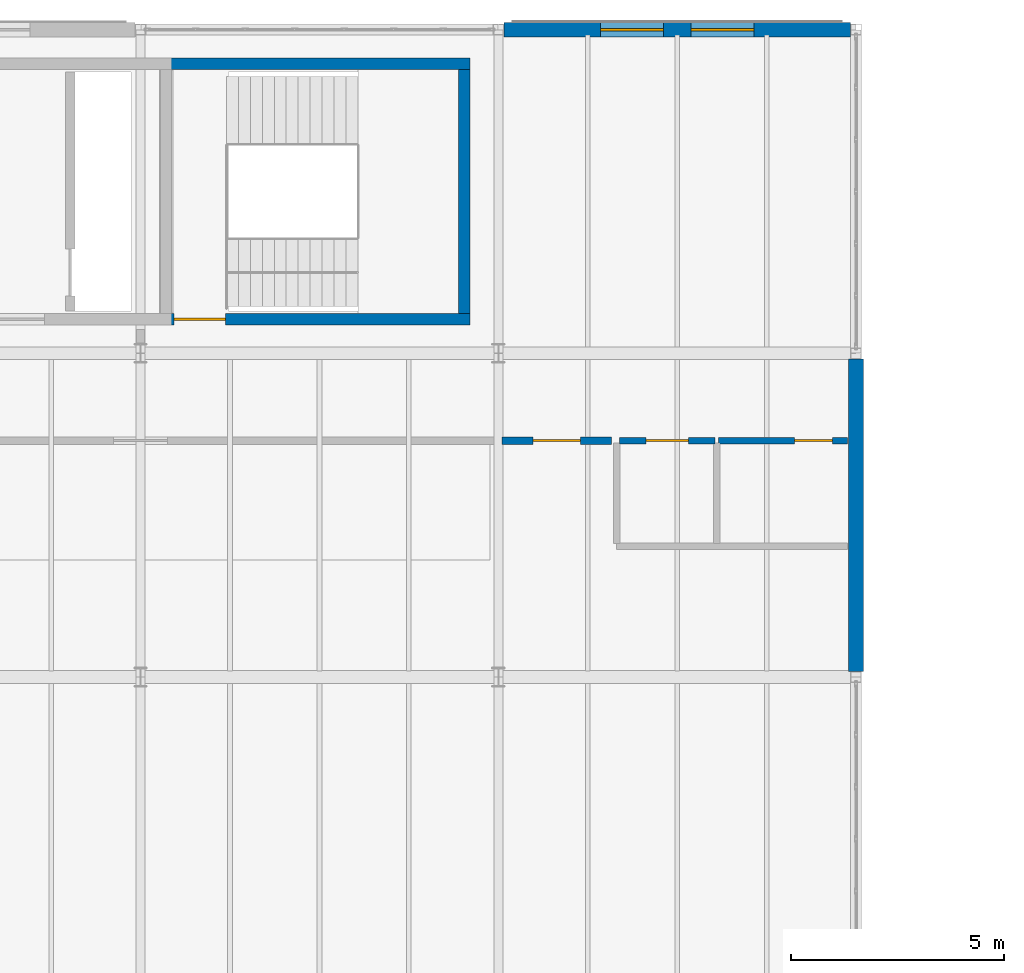
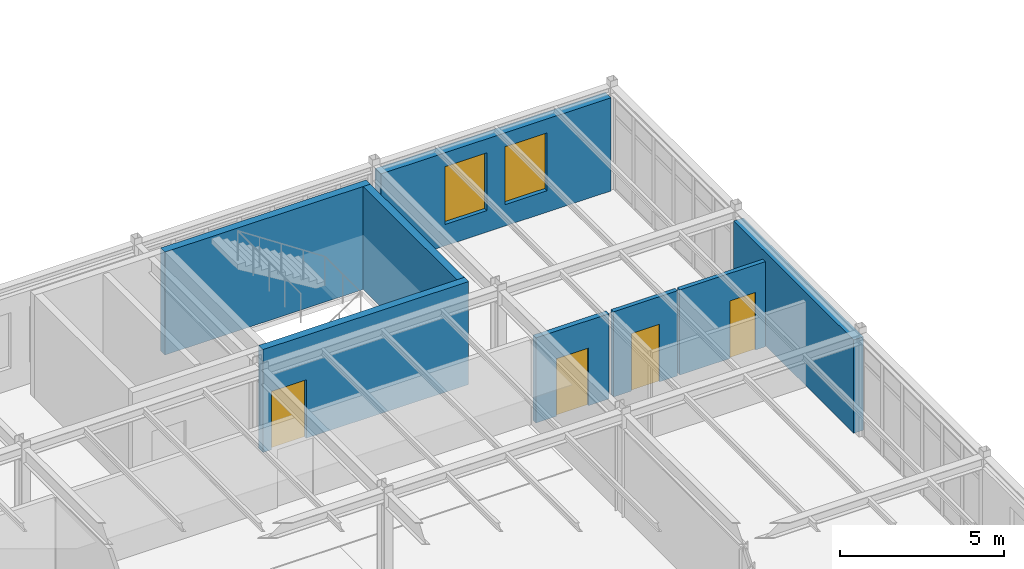
# One storey, part 165 of 189: 8 walls, 4 doors, 2 windows, 6 openings.
"""IFC4 building model written with IfcOpenShell, lengths in metres."""

from ifc_helpers import new_model, si_unit, direction, frame, frame_2d, origin, place, context, subcontext, project, spatial, rectangle, extrude, material, layer, layer_set, type_object, element, fill, save


model = new_model("IFC4")

# Units and contexts
model_context = context("Model", 3, precision=1e-05, world=origin(), true_north=direction((0.0, 1.0)))
body_context = subcontext(model_context, "Body", "Model", "MODEL_VIEW")
ifc_project = project(units=[si_unit("LENGTHUNIT", "METRE"), si_unit("AREAUNIT", "SQUARE_METRE"), si_unit("VOLUMEUNIT", "CUBIC_METRE"), si_unit("PLANEANGLEUNIT", "RADIAN"), si_unit("MASSUNIT", "GRAM", prefix="KILO")], contexts=[model_context])

# Site, building, storey
site_placement = place(None, origin())
site = spatial("IfcSite", under=ifc_project, at=site_placement, CompositionType="ELEMENT")
building_placement = place(site_placement, origin())
building = spatial("IfcBuilding", under=site, at=building_placement, Name="Montecoro Central Library", CompositionType="ELEMENT")
storey_placement = place(building_placement, frame((0.0, 0.0, 9.179931640625)))
storey = spatial("IfcBuildingStorey", under=building, at=storey_placement, Name="L02", CompositionType="ELEMENT", Elevation=9.179931640625)

# Wall
ifc_material_1 = material(Name="Roman travertine stone clad concrete C35/45", Category="masonry")
ifc_layer_1 = layer(ifc_material_1, 0.344970703125)
ifc_layer_set_1 = layer_set([ifc_layer_1], Name="Roman travertine stone clad concrete C35/45")
wall_type_1 = type_object("IfcWallType", Name="EW-TRV-345", PredefinedType="SOLIDWALL", material=ifc_layer_set_1)
wall_1_placement = place(storey_placement, frame((116.800048828125, 103.93310546875, 0.0), z_axis=(0.0, 0.0, 1.0), x_axis=(0.0, 1.0, 0.0)))
element("IfcWall", 1, at=wall_1_placement, inside=storey, type_object=wall_type_1, Name="V2-L02-EW-E3", PredefinedType="SOLIDWALL", context=body_context, shape_type="SweptSolid", body=[
    extrude(rectangle(XDim=7.333984375, YDim=0.344970703125, at=frame_2d((3.6669921875, 0.0))), origin(), (0.0, 0.0, 1.0), 3.47998046875),
])

# Wall, openings, windows
wall_2_placement = place(storey_placement, frame((116.6669921875, 119.0, 0.0), z_axis=(0.0, 0.0, 1.0), x_axis=(-1.0, 0.0, 0.0)))
wall_2 = element("IfcWall", 2, at=wall_2_placement, inside=storey, type_object=wall_type_1, Name="V2-L02-EW-N5", PredefinedType="SOLIDWALL", context=body_context, shape_type="SweptSolid", body=[
    extrude(rectangle(XDim=8.134033203125, YDim=0.344970703125, at=frame_2d((4.06689453125, 0.0))), origin(), (0.0, 0.0, 1.0), 3.47998046875),
])
opening_1_placement = place(wall_2_placement, frame((2.261962890625, 0.0, 0.800048828125)))
opening_1 = element("IfcOpeningElement", 3, at=opening_1_placement, cuts=wall_2, Name="Opening WN-25", PredefinedType="OPENING", context=body_context, shape_type="SweptSolid", body=[
    extrude(rectangle(XDim=1.47998046875, YDim=2.159912109375, at=frame_2d((0.739990234375, 1.080078125))), frame((0.0, 0.182373046875, 0.0), z_axis=(0.0, -1.0, 0.0), x_axis=(1.0, 0.0, 0.0)), (0.0, 0.0, 1.0), 0.364990234375),
])
opening_2_placement = place(wall_2_placement, frame((4.39208984375, 0.0, 0.800048828125)))
opening_2 = element("IfcOpeningElement", 4, at=opening_2_placement, cuts=wall_2, Name="Opening WN-25", PredefinedType="OPENING", context=body_context, shape_type="SweptSolid", body=[
    extrude(rectangle(XDim=1.47998046875, YDim=2.159912109375, at=frame_2d((0.739990234375, 1.080078125))), frame((0.0, 0.182373046875, 0.0), z_axis=(0.0, -1.0, 0.0), x_axis=(1.0, 0.0, 0.0)), (0.0, 0.0, 1.0), 0.364990234375),
])
ifc_material_2 = material(Name="Laminated low-E double glazing", Category="glass")
window_type = type_object("IfcWindowType", Name="WN-RDG-148", PartitioningType="SINGLE_PANEL", PredefinedType="WINDOW", material=ifc_material_2)
window_1_placement = place(opening_1_placement, origin())
window_1 = element("IfcWindow", 5, at=window_1_placement, inside=storey, type_object=window_type, Name="V2-L02-WN-N5-1", OverallHeight=2.159912109375, OverallWidth=1.47998046875, PartitioningType="SINGLE_PANEL", PredefinedType="WINDOW", context=body_context, shape_type="SweptSolid", body=[
    extrude(rectangle(XDim=1.47998046875, YDim=2.159912109375, at=frame_2d((0.739990234375, 1.080078125))), frame((0.0, 0.030029296875, 0.0), z_axis=(0.0, -1.0, 0.0), x_axis=(1.0, 0.0, 0.0)), (0.0, 0.0, 1.0), 0.06005859375),
])
fill(opening_1, window_1)
window_2_placement = place(opening_2_placement, origin())
window_2 = element("IfcWindow", 6, at=window_2_placement, inside=storey, type_object=window_type, Name="V2-L02-WN-N5-2", OverallHeight=2.159912109375, OverallWidth=1.47998046875, PartitioningType="SINGLE_PANEL", PredefinedType="WINDOW", context=body_context, shape_type="SweptSolid", body=[
    extrude(rectangle(XDim=1.47998046875, YDim=2.159912109375, at=frame_2d((0.739990234375, 1.080078125))), frame((0.0, 0.030029296875, 0.0), z_axis=(0.0, -1.0, 0.0), x_axis=(1.0, 0.0, 0.0)), (0.0, 0.0, 1.0), 0.06005859375),
])
fill(opening_2, window_2)

# Wall, opening, door
ifc_material_3 = material(Name="Gypsum fire-rated partition")
ifc_layer_2 = layer(ifc_material_3, 0.179931640625)
ifc_layer_set_2 = layer_set([ifc_layer_2], Name="Gypsum fire-rated partition")
wall_type_2 = type_object("IfcWallType", Name="IW-COR-180", PredefinedType="PARTITIONING", material=ifc_layer_set_2)
wall_3_placement = place(storey_placement, frame((108.489990234375, 109.35009765625, 0.0), z_axis=(0.0, 0.0, 1.0), x_axis=(1.0, 0.0, 0.0)))
wall_3 = element("IfcWall", 7, at=wall_3_placement, inside=storey, type_object=wall_type_2, Name="CORW-V2-L02-04", PredefinedType="PARTITIONING", context=body_context, shape_type="SweptSolid", body=[
    extrude(rectangle(XDim=2.570068359375, YDim=0.179931640625, at=frame_2d((1.28515625, 0.0))), origin(), (0.0, 0.0, 1.0), 3.18017578125),
])
opening_3_placement = place(wall_3_placement, frame((0.72509765625, 0.0, 0.0)))
opening_3 = element("IfcOpeningElement", 8, at=opening_3_placement, cuts=wall_3, Name="Opening ID-12", PredefinedType="OPENING", context=body_context, shape_type="SweptSolid", body=[
    extrude(rectangle(XDim=1.1201171875, YDim=2.14990234375, at=frame_2d((0.56005859375, 1.074951171875))), frame((0.0, 0.099853515625, 0.0), z_axis=(0.0, -1.0, 0.0), x_axis=(1.0, 0.0, 0.0)), (0.0, 0.0, 1.0), 0.199951171875),
])
ifc_material_4 = material(Name="Solid oak and fire-rated steel door", Category="steel")
door_type_1 = type_object("IfcDoorType", Name="ID-RM-112", OperationType="NOTDEFINED", PredefinedType="DOOR", material=ifc_material_4)
door_1_placement = place(opening_3_placement, origin())
door_1 = element("IfcDoor", 9, at=door_1_placement, inside=storey, type_object=door_type_1, Name="DR-SP-V2-L02-R4P1", OperationType="SINGLE_SWING_LEFT", OverallHeight=2.14990234375, OverallWidth=1.1201171875, PredefinedType="DOOR", context=body_context, shape_type="SweptSolid", body=[
    extrude(rectangle(XDim=1.1201171875, YDim=2.14990234375, at=frame_2d((0.56005859375, 1.074951171875))), frame((0.0, 0.02490234375, 0.0), z_axis=(0.0, -1.0, 0.0), x_axis=(1.0, 0.0, 0.0)), (0.0, 0.0, 1.0), 0.050048828125),
])
fill(opening_3, door_1)

ifc_material_5 = material(Name="Concrete C35/45", Category="concrete")
ifc_layer_3 = layer(ifc_material_5, 0.260009765625)
ifc_layer_set_3 = layer_set([ifc_layer_3], Name="Concrete C35/45")
wall_type_3 = type_object("IfcWallType", Name="IW-SHR-260", PredefinedType="SHEAR", material=ifc_layer_set_3)
wall_4_placement = place(storey_placement, frame((100.469970703125, 112.199951171875, 0.0), z_axis=(0.0, 0.0, 1.0), x_axis=(1.0, 0.0, 0.0)))
wall_4 = element("IfcWall", 10, at=wall_4_placement, inside=storey, type_object=wall_type_3, Name="C3-L02-WS", PredefinedType="SHEAR", context=body_context, shape_type="SweptSolid", body=[
    extrude(rectangle(XDim=7.260009765625, YDim=0.260009765625, at=frame_2d((3.6298828125, 0.0))), origin(), (0.0, 0.0, 1.0), 3.844970703125),
])
opening_4_placement = place(wall_4_placement, frame((0.31005859375, 0.0, 0.0)))
opening_4 = element("IfcOpeningElement", 11, at=opening_4_placement, cuts=wall_4, Name="Opening ID-01", PredefinedType="OPENING", context=body_context, shape_type="SweptSolid", body=[
    extrude(rectangle(XDim=1.219970703125, YDim=2.179931640625, at=frame_2d((0.60986328125, 1.08984375))), frame((0.0, 0.139892578125, 0.0), z_axis=(0.0, -1.0, 0.0), x_axis=(1.0, 0.0, 0.0)), (0.0, 0.0, 1.0), 0.280029296875),
])
door_type_2 = type_object("IfcDoorType", Name="ID-STR-140", OperationType="NOTDEFINED", PredefinedType="DOOR", material=ifc_material_4)
door_2_placement = place(opening_4_placement, origin())
door_2 = element("IfcDoor", 12, at=door_2_placement, inside=storey, type_object=door_type_2, Name="C3-L02-DSTR", OperationType="SINGLE_SWING_RIGHT", OverallHeight=2.179931640625, OverallWidth=1.219970703125, PredefinedType="DOOR", context=body_context, shape_type="SweptSolid", body=[
    extrude(rectangle(XDim=1.219970703125, YDim=2.179931640625, at=frame_2d((0.60986328125, 1.08984375))), frame((0.0, 0.02490234375, 0.0), z_axis=(0.0, -1.0, 0.0), x_axis=(1.0, 0.0, 0.0)), (0.0, 0.0, 1.0), 0.050048828125),
])
fill(opening_4, door_2)

# Walls
wall_5_placement = place(storey_placement, frame((100.469970703125, 118.199951171875, 0.0), z_axis=(0.0, 0.0, 1.0), x_axis=(1.0, 0.0, 0.0)))
element("IfcWall", 13, at=wall_5_placement, inside=storey, type_object=wall_type_3, Name="C3-L02-WN", PredefinedType="SHEAR", context=body_context, shape_type="SweptSolid", body=[
    extrude(rectangle(XDim=7.260009765625, YDim=0.260009765625, at=frame_2d((3.6298828125, 0.0))), origin(), (0.0, 0.0, 1.0), 3.844970703125),
])
wall_6_placement = place(storey_placement, frame((107.60009765625, 112.330078125, 0.0), z_axis=(0.0, 0.0, 1.0), x_axis=(0.0, 1.0, 0.0)))
element("IfcWall", 14, at=wall_6_placement, inside=storey, type_object=wall_type_3, Name="C3-L02-WE", PredefinedType="SHEAR", context=body_context, shape_type="SweptSolid", body=[
    extrude(rectangle(XDim=5.739990234375, YDim=0.260009765625, at=frame_2d((2.8701171875, 0.0))), origin(), (0.0, 0.0, 1.0), 3.844970703125),
])

# Wall, opening, door
ifc_material_6 = material(Name="Moisture-resistant ceramic-tiled partition")
ifc_layer_4 = layer(ifc_material_6, 0.14990234375)
ifc_layer_set_4 = layer_set([ifc_layer_4], Name="Moisture-resistant ceramic-tiled partition")
wall_type_4 = type_object("IfcWallType", Name="IW-WET-150", PredefinedType="PARTITIONING", material=ifc_layer_set_4)
wall_7_placement = place(storey_placement, frame((111.239990234375, 109.35009765625, 0.0), z_axis=(0.0, 0.0, 1.0), x_axis=(1.0, 0.0, 0.0)))
wall_7 = element("IfcWall", 15, at=wall_7_placement, inside=storey, type_object=wall_type_4, Name="WC-V2-L02-WFA", PredefinedType="PARTITIONING", context=body_context, shape_type="SweptSolid", body=[
    extrude(rectangle(XDim=2.25, YDim=0.14990234375, at=frame_2d((1.125, 0.0))), origin(), (0.0, 0.0, 1.0), 3.18017578125),
])
opening_5_placement = place(wall_7_placement, frame((0.625, 0.0, 0.0)))
opening_5 = element("IfcOpeningElement", 16, at=opening_5_placement, cuts=wall_7, Name="Opening ID-15", PredefinedType="OPENING", context=body_context, shape_type="SweptSolid", body=[
    extrude(rectangle(XDim=1.0, YDim=2.14990234375, at=frame_2d((0.5, 1.074951171875))), frame((0.0, 0.0849609375, 0.0), z_axis=(0.0, -1.0, 0.0), x_axis=(1.0, 0.0, 0.0)), (0.0, 0.0, 1.0), 0.169921875),
])
door_type_3 = type_object("IfcDoorType", Name="ID-AWC-100", OperationType="NOTDEFINED", PredefinedType="DOOR", material=ifc_material_4)
door_3_placement = place(opening_5_placement, origin())
door_3 = element("IfcDoor", 17, at=door_3_placement, inside=storey, type_object=door_type_3, Name="DR-SP-V2-L02-AWC", OperationType="SINGLE_SWING_LEFT", OverallHeight=2.14990234375, OverallWidth=1.0, PredefinedType="DOOR", context=body_context, shape_type="SweptSolid", body=[
    extrude(rectangle(XDim=1.0, YDim=2.14990234375, at=frame_2d((0.5, 1.074951171875))), frame((0.0, 0.02490234375, 0.0), z_axis=(0.0, -1.0, 0.0), x_axis=(1.0, 0.0, 0.0)), (0.0, 0.0, 1.0), 0.050048828125),
])
fill(opening_5, door_3)

wall_8_placement = place(storey_placement, frame((113.570068359375, 109.35009765625, 0.0), z_axis=(0.0, 0.0, 1.0), x_axis=(1.0, 0.0, 0.0)))
wall_8 = element("IfcWall", 18, at=wall_8_placement, inside=storey, type_object=wall_type_4, Name="WC-V2-L02-WFP", PredefinedType="PARTITIONING", context=body_context, shape_type="SweptSolid", body=[
    extrude(rectangle(XDim=3.030029296875, YDim=0.14990234375, at=frame_2d((1.51513671875, 0.0))), origin(), (0.0, 0.0, 1.0), 3.18017578125),
])
opening_6_placement = place(wall_8_placement, frame((1.780029296875, 0.0, 0.0)))
opening_6 = element("IfcOpeningElement", 19, at=opening_6_placement, cuts=wall_8, Name="Opening ID-16", PredefinedType="OPENING", context=body_context, shape_type="SweptSolid", body=[
    extrude(rectangle(XDim=0.89990234375, YDim=2.14990234375, at=frame_2d((0.449951171875, 1.074951171875))), frame((0.0, 0.0849609375, 0.0), z_axis=(0.0, -1.0, 0.0), x_axis=(1.0, 0.0, 0.0)), (0.0, 0.0, 1.0), 0.169921875),
])
door_type_4 = type_object("IfcDoorType", Name="ID-WC-090", OperationType="NOTDEFINED", PredefinedType="DOOR", material=ifc_material_4)
door_4_placement = place(opening_6_placement, origin())
door_4 = element("IfcDoor", 20, at=door_4_placement, inside=storey, type_object=door_type_4, Name="DR-SP-V2-L02-PWC", OperationType="SINGLE_SWING_RIGHT", OverallHeight=2.14990234375, OverallWidth=0.89990234375, PredefinedType="DOOR", context=body_context, shape_type="SweptSolid", body=[
    extrude(rectangle(XDim=0.89990234375, YDim=2.14990234375, at=frame_2d((0.449951171875, 1.074951171875))), frame((0.0, 0.02490234375, 0.0), z_axis=(0.0, -1.0, 0.0), x_axis=(1.0, 0.0, 0.0)), (0.0, 0.0, 1.0), 0.050048828125),
])
fill(opening_6, door_4)

save(model, "model.ifc")
